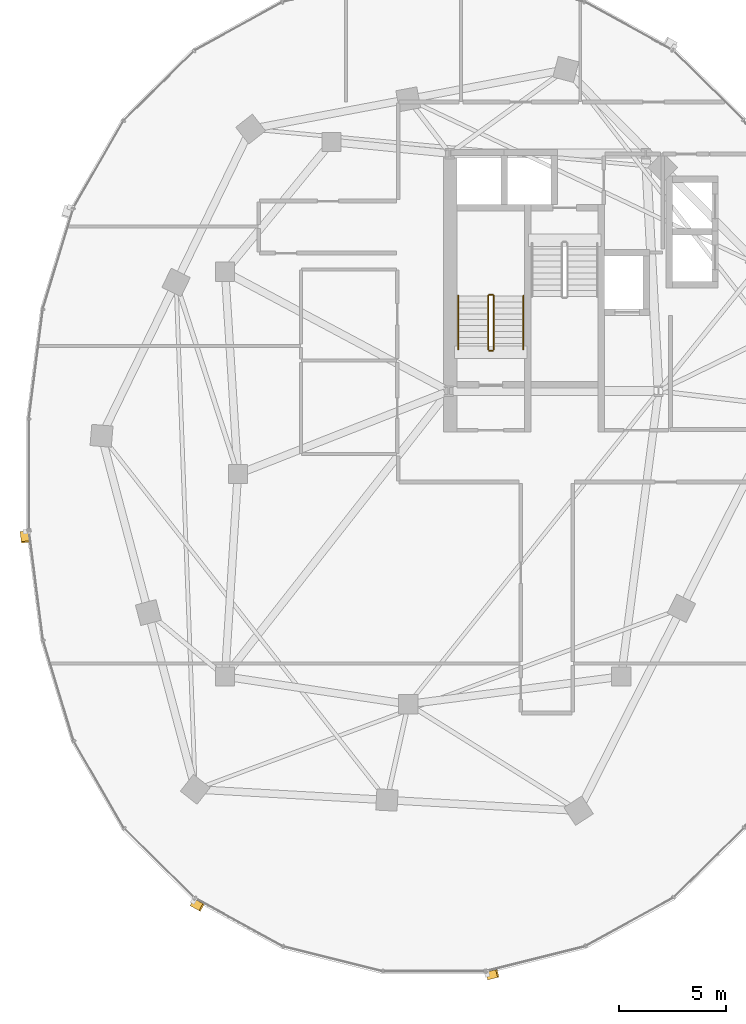
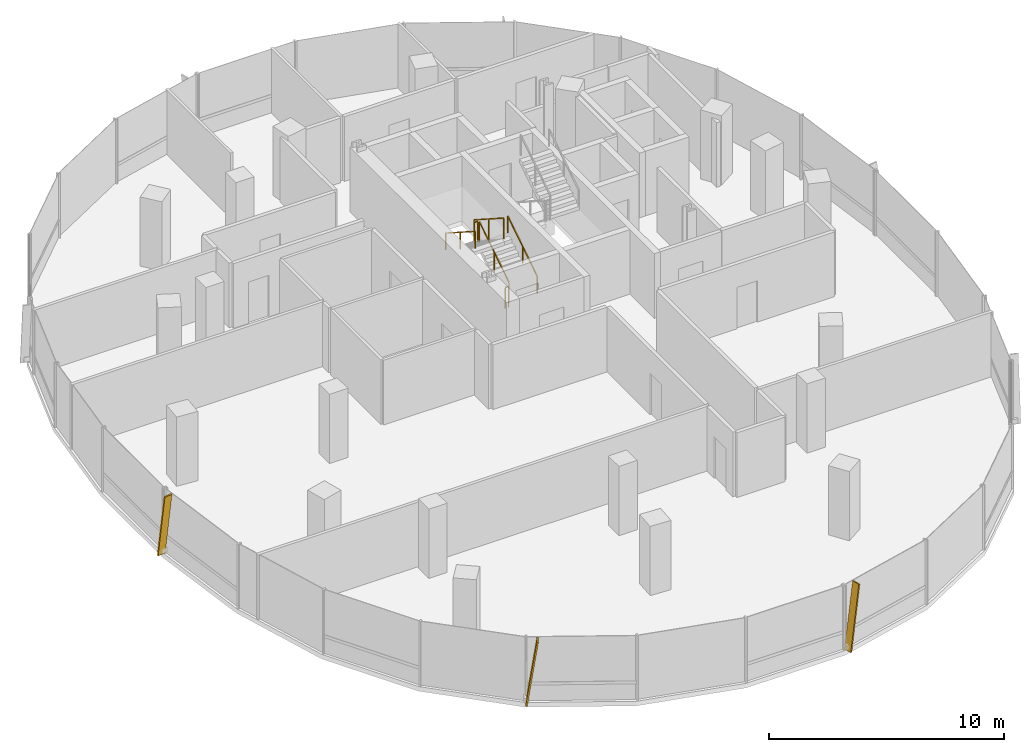
# One storey, part 18 of 22: 6 railings, 3 shading devices.
"""IFC4 building model written with IfcOpenShell, lengths in metres."""

from ifc_helpers import new_model, si_unit, direction, frame, origin, origin_2d, place, context, subcontext, project, spatial, rectangle, extrude, material, material_profile, profile_set, type_object, element, save


model = new_model("IFC4")

# Units and contexts
model_context = context("Model", 3, precision=1e-05, world=origin(), true_north=direction((0.0, 1.0)))
body_context = subcontext(model_context, "Body", "Model", "MODEL_VIEW")
ifc_project = project(units=[si_unit("LENGTHUNIT", "METRE"), si_unit("AREAUNIT", "SQUARE_METRE"), si_unit("VOLUMEUNIT", "CUBIC_METRE"), si_unit("PLANEANGLEUNIT", "RADIAN"), si_unit("MASSUNIT", "GRAM", prefix="KILO"), si_unit("THERMODYNAMICTEMPERATUREUNIT", "KELVIN"), si_unit("POWERUNIT", "WATT")], contexts=[model_context])

# Site, building, storey
site_placement = place(None, origin())
site = spatial("IfcSite", under=ifc_project, at=site_placement, CompositionType="ELEMENT")
building_placement = place(site_placement, origin())
building = spatial("IfcBuilding", under=site, at=building_placement, Name="Cundina Bronze Exchange", CompositionType="ELEMENT")
storey_placement = place(building_placement, frame((0.0, 0.0, 158.39990234375)))
storey = spatial("IfcBuildingStorey", under=building, at=storey_placement, Name="L41", CompositionType="ELEMENT", Elevation=158.39990234375)

# Railings
ifc_material_1 = material(Name="Steel ASTM A36 Painted", Category="steel")
railing_type_1 = type_object("IfcRailingType", Name="RLG-HND-900", PredefinedType="HANDRAIL", material=ifc_material_1)
railing_1_placement = place(storey_placement, frame((-27.7900390625, 5.85009765625, 0.18017578125)))
element("IfcRailing", 1, at=railing_1_placement, inside=storey, type_object=railing_type_1, Name="L41 ST-W1 stair handrail 1", PredefinedType="HANDRAIL", context=body_context, shape_type="SweptSolid", body=[
    extrude(rectangle(XDim=0.048095703125, YDim=0.048095703125, at=origin_2d()), frame((0.0, 0.0, 0.8759765625), z_axis=(0.0, 0.841199657755, 0.540724639528), x_axis=(-1.0, 0.0, 0.0)), (0.0, 0.0, 1.0), 2.995849609375),
    extrude(rectangle(XDim=0.0419921875, YDim=0.0419921875, at=origin_2d()), origin(), (0.0, 0.0, 1.0), 0.851806640625),
    extrude(rectangle(XDim=0.0419921875, YDim=0.0419921875, at=origin_2d()), frame((0.0, 1.260009765625, 0.81005859375)), (0.0, 0.0, 1.0), 0.851806640625),
    extrude(rectangle(XDim=0.0419921875, YDim=0.0419921875, at=origin_2d()), frame((0.0, 2.52001953125, 1.619873046875)), (0.0, 0.0, 1.0), 0.851806640625),
])
railing_2_placement = place(storey_placement, frame((-30.85009765625, 8.3701171875, 1.97998046875)))
element("IfcRailing", 2, at=railing_2_placement, inside=storey, type_object=railing_type_1, Name="L41 ST-W1 stair handrail 2", PredefinedType="HANDRAIL", context=body_context, shape_type="SweptSolid", body=[
    extrude(rectangle(XDim=0.048095703125, YDim=0.048095703125, at=origin_2d()), frame((0.0, 0.0, 0.8759765625), z_axis=(0.0, -0.841162588446, 0.540782303519), x_axis=(1.0, 0.0, 0.0)), (0.0, 0.0, 1.0), 2.995849609375),
    extrude(rectangle(XDim=0.0419921875, YDim=0.0419921875, at=origin_2d()), origin(), (0.0, 0.0, 1.0), 0.851806640625),
    extrude(rectangle(XDim=0.0419921875, YDim=0.0419921875, at=origin_2d()), frame((0.0, -1.260009765625, 0.81005859375)), (0.0, 0.0, 1.0), 0.851806640625),
    extrude(rectangle(XDim=0.0419921875, YDim=0.0419921875, at=origin_2d()), frame((0.0, -2.52001953125, 1.6201171875)), (0.0, 0.0, 1.0), 0.851806640625),
])
railing_type_2 = type_object("IfcRailingType", Name="RLG-STG-1100", PredefinedType="GUARDRAIL", material=ifc_material_1)
railing_3_placement = place(storey_placement, frame((-29.18994140625, 5.85009765625, 0.18017578125)))
element("IfcRailing", 3, at=railing_3_placement, inside=storey, type_object=railing_type_2, Name="L41 ST-W1 stair guard 1", PredefinedType="GUARDRAIL", context=body_context, shape_type="SweptSolid", body=[
    extrude(rectangle(XDim=0.048095703125, YDim=0.048095703125, at=origin_2d()), frame((0.0, 0.0, 1.076171875), z_axis=(0.0, 0.841199657755, 0.540724639528), x_axis=(-1.0, 0.0, 0.0)), (0.0, 0.0, 1.0), 2.995849609375),
    extrude(rectangle(XDim=0.0419921875, YDim=0.0419921875, at=origin_2d()), origin(), (0.0, 0.0, 1.0), 1.052001953125),
    extrude(rectangle(XDim=0.0419921875, YDim=0.0419921875, at=origin_2d()), frame((0.0, 1.260009765625, 0.81005859375)), (0.0, 0.0, 1.0), 1.052001953125),
    extrude(rectangle(XDim=0.0419921875, YDim=0.0419921875, at=origin_2d()), frame((0.0, 2.52001953125, 1.619873046875)), (0.0, 0.0, 1.0), 1.052001953125),
])
railing_4_placement = place(storey_placement, frame((-29.239990234375, 8.419921875, 1.800048828125)))
element("IfcRailing", 4, at=railing_4_placement, inside=storey, type_object=railing_type_2, Name="L41 ST-W1 stair guard 2", PredefinedType="GUARDRAIL", context=body_context, shape_type="SweptSolid", body=[
    extrude(rectangle(XDim=0.048095703125, YDim=0.048095703125, at=origin_2d()), frame((0.0, 0.0, 1.076171875), z_axis=(-1.0, 0.0, 0.0), x_axis=(0.0, -1.0, 0.0)), (0.0, 0.0, 1.0), 0.159912109375),
    extrude(rectangle(XDim=0.0419921875, YDim=0.0419921875, at=origin_2d()), origin(), (0.0, 0.0, 1.0), 1.052001953125),
    extrude(rectangle(XDim=0.0419921875, YDim=0.0419921875, at=origin_2d()), frame((-0.159912109375, 0.0, 0.0)), (0.0, 0.0, 1.0), 1.052001953125),
])
railing_5_placement = place(storey_placement, frame((-29.449951171875, 8.3701171875, 1.97998046875)))
element("IfcRailing", 5, at=railing_5_placement, inside=storey, type_object=railing_type_2, Name="L41 ST-W1 stair guard 3", PredefinedType="GUARDRAIL", context=body_context, shape_type="SweptSolid", body=[
    extrude(rectangle(XDim=0.048095703125, YDim=0.048095703125, at=origin_2d()), frame((0.0, 0.0, 1.076171875), z_axis=(0.0, -0.841162588446, 0.540782303519), x_axis=(1.0, 0.0, 0.0)), (0.0, 0.0, 1.0), 2.995849609375),
    extrude(rectangle(XDim=0.0419921875, YDim=0.0419921875, at=origin_2d()), origin(), (0.0, 0.0, 1.0), 1.052001953125),
    extrude(rectangle(XDim=0.0419921875, YDim=0.0419921875, at=origin_2d()), frame((0.0, -1.260009765625, 0.81005859375)), (0.0, 0.0, 1.0), 1.052001953125),
    extrude(rectangle(XDim=0.0419921875, YDim=0.0419921875, at=origin_2d()), frame((0.0, -2.52001953125, 1.6201171875)), (0.0, 0.0, 1.0), 1.052001953125),
])
railing_6_placement = place(storey_placement, frame((-29.239990234375, 5.800048828125, 0.0)))
element("IfcRailing", 6, at=railing_6_placement, inside=storey, type_object=railing_type_2, Name="L41 ST-W1 stair guard 4", PredefinedType="GUARDRAIL", context=body_context, shape_type="SweptSolid", body=[
    extrude(rectangle(XDim=0.048095703125, YDim=0.048095703125, at=origin_2d()), frame((0.0, 0.0, 1.076171875), z_axis=(-1.0, 0.0, 0.0), x_axis=(0.0, -1.0, 0.0)), (0.0, 0.0, 1.0), 0.159912109375),
    extrude(rectangle(XDim=0.0419921875, YDim=0.0419921875, at=origin_2d()), origin(), (0.0, 0.0, 1.0), 1.052001953125),
    extrude(rectangle(XDim=0.0419921875, YDim=0.0419921875, at=origin_2d()), frame((-0.159912109375, 0.0, 0.0)), (0.0, 0.0, 1.0), 1.052001953125),
])

# Shading devices
ifc_material_2 = material(Name="Anodised Bronze Aluminium 6063-T6", Category="aluminium")
ifc_material_profile = material_profile(ifc_material_2, rectangle(XDim=0.070068359375, YDim=0.3798828125, at=origin_2d()), Name="FIN70X380", Category="aluminium")
ifc_profile_set = profile_set([ifc_material_profile], Name="Anodised Bronze Aluminium 6063-T6")
shading_device_type = type_object("IfcShadingDeviceType", Name="SHD-FIN-BRZ380", PredefinedType="USERDEFINED", material=ifc_profile_set)
for number, where, z_axis, x_axis, name in (
    (7, (-51.23486328125, -2.705810546875, 0.02001953125), (0.018121805099, -0.141917750773, 0.989712560391), (-0.125360789044, 0.981741119016, 0.143070080046), "L41 Diagonal Bronze Solar Fin 1"),
    (8, (-43.320068359375, -20.11181640625, 0.02001953125), (0.125324460949, -0.068993954111, 0.989713905017), (-0.867011652888, 0.477309551067, 0.143060778049), "L41 Diagonal Bronze Solar Fin 5"),
    (9, (-29.48046875, -23.556396484375, 0.02001953125), (0.138788401144, 0.034715294885, 0.989713407007), (-0.960133415413, -0.240159223467, 0.14306422331), "L41 Diagonal Bronze Solar Fin 1"),
):
    element("IfcShadingDevice", number, at=place(storey_placement, frame(where, z_axis=z_axis, x_axis=x_axis)), inside=storey, type_object=shading_device_type, Name=name, ObjectType="FIN", PredefinedType="USERDEFINED", context=body_context, shape_type="SweptSolid", body=[
        extrude(rectangle(XDim=0.070068359375, YDim=0.3798828125, at=origin_2d()), origin(), (0.0, 0.0, 1.0), 3.3544921875),
    ])

save(model, "model.ifc")
